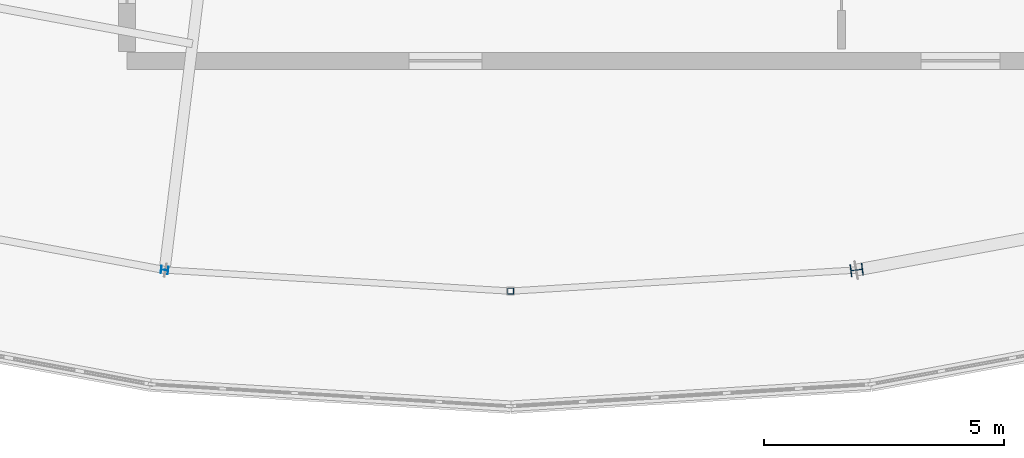
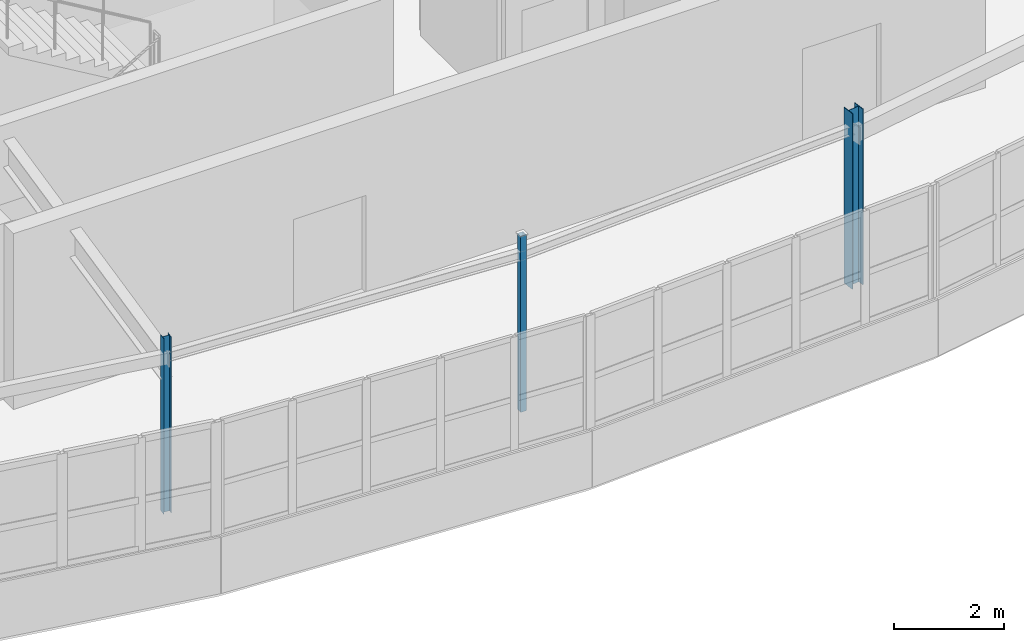
# One storey, part 3 of 65: 3 columns.
"""IFC4 building model written with IfcOpenShell, lengths in metres."""

from ifc_helpers import new_model, si_unit, direction, frame, origin, origin_2d, place, context, subcontext, project, spatial, hollow_rectangle, i_section, extrude, material, material_profile, profile_set, type_object, element, save


model = new_model("IFC4")

# Units and contexts
model_context = context("Model", 3, precision=1e-05, world=origin(), true_north=direction((0.0, 1.0)))
body_context = subcontext(model_context, "Body", "Model", "MODEL_VIEW")
ifc_project = project(units=[si_unit("LENGTHUNIT", "METRE"), si_unit("AREAUNIT", "SQUARE_METRE"), si_unit("VOLUMEUNIT", "CUBIC_METRE"), si_unit("PLANEANGLEUNIT", "RADIAN"), si_unit("MASSUNIT", "GRAM", prefix="KILO")], contexts=[model_context])

# Site, building, storey
site_placement = place(None, origin())
site = spatial("IfcSite", under=ifc_project, at=site_placement, CompositionType="ELEMENT")
building_placement = place(site_placement, origin())
building = spatial("IfcBuilding", under=site, at=building_placement, Name="Tarnwether General Hospital", CompositionType="ELEMENT")
storey_placement = place(building_placement, frame((0.0, 0.0, 22.199951171875)))
storey = spatial("IfcBuildingStorey", under=building, at=storey_placement, Name="L05", CompositionType="ELEMENT", Elevation=22.199951171875)

# Columns
ifc_material_1 = material(Name="Steel Grade 350 (350 MPa)", Category="steel")
ifc_material_profile_1 = material_profile(ifc_material_1, i_section(OverallWidth=0.25390625, OverallDepth=0.25390625, WebThickness=0.008544921875, FlangeThickness=0.01416015625, at=origin_2d()), Name="250UC72.9")
ifc_profile_set_1 = profile_set([ifc_material_profile_1], Name="Steel Grade 350 (350 MPa)")
column_type_1 = type_object("IfcColumnType", Name="COL-24", PredefinedType="COLUMN", material=ifc_profile_set_1)
column_1_placement = place(storey_placement, frame((99.215087890625, 4.240966796875, 0.0), z_axis=(0.0, 0.0, 1.0), x_axis=(-0.121869343405, 0.992546151641, 0.0)))
element("IfcColumn", 1, at=column_1_placement, inside=storey, type_object=column_type_1, Name="Column COLG-L05-9922_424", PredefinedType="COLUMN", context=body_context, shape_type="SweptSolid", body=[
    extrude(i_section(OverallWidth=0.25390625, OverallDepth=0.25390625, WebThickness=0.008544921875, FlangeThickness=0.01416015625, at=origin_2d()), origin(), (0.0, 0.0, 1.0), 3.900146484375),
])
ifc_material_2 = material(Name="Steel Grade 350 (350 MPa)", Category="steel")
ifc_material_profile_2 = material_profile(ifc_material_2, i_section(OverallWidth=0.152099609375, OverallDepth=0.152099609375, WebThickness=0.006103515625, FlangeThickness=0.0068359375, at=origin_2d()), Name="150UC23.4")
ifc_profile_set_2 = profile_set([ifc_material_profile_2], Name="Steel Grade 350 (350 MPa)")
column_type_2 = type_object("IfcColumnType", Name="COL-32", PredefinedType="COLUMN", material=ifc_profile_set_2)
column_2_placement = place(storey_placement, frame((84.784912109375, 4.240966796875, 0.0), z_axis=(0.0, 0.0, 1.0), x_axis=(0.121869343405, 0.992546151641, 0.0)))
element("IfcColumn", 2, at=column_2_placement, inside=storey, type_object=column_type_2, Name="Column COLG-L05-8478_424", PredefinedType="COLUMN", context=body_context, shape_type="SweptSolid", body=[
    extrude(i_section(OverallWidth=0.152099609375, OverallDepth=0.152099609375, WebThickness=0.006103515625, FlangeThickness=0.0068359375, at=origin_2d()), origin(), (0.0, 0.0, 1.0), 3.900146484375),
])
ifc_material_3 = material(Name="Steel Grade C350L0 (350 MPa)", Category="steel")
ifc_material_profile_3 = material_profile(ifc_material_3, hollow_rectangle(XDim=0.125, YDim=0.125, WallThickness=0.006103515625, at=origin_2d()), Name="SHS125x125x6")
ifc_profile_set_3 = profile_set([ifc_material_profile_3], Name="Steel Grade C350L0 (350 MPa)")
column_type_3 = type_object("IfcColumnType", Name="COL-34", PredefinedType="COLUMN", material=ifc_profile_set_3)
column_3_placement = place(storey_placement, frame((92.0, 3.800048828125, 0.0), z_axis=(0.0, 0.0, 1.0), x_axis=(0.0, 1.0, 0.0)))
element("IfcColumn", 3, at=column_3_placement, inside=storey, type_object=column_type_3, Name="Column COLG-L05-9200_380", PredefinedType="COLUMN", context=body_context, shape_type="SweptSolid", body=[
    extrude(hollow_rectangle(XDim=0.125, YDim=0.125, WallThickness=0.006103515625, at=origin_2d()), origin(), (0.0, 0.0, 1.0), 3.900146484375),
])

save(model, "model.ifc")
